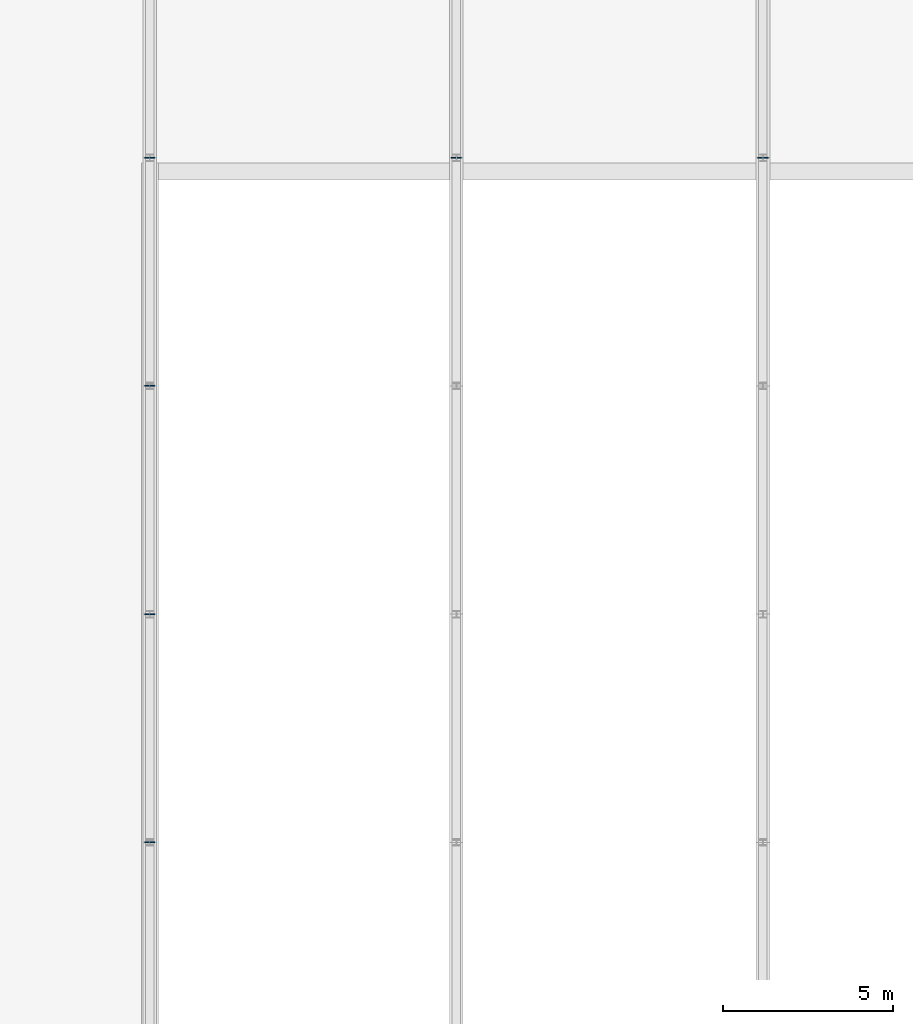
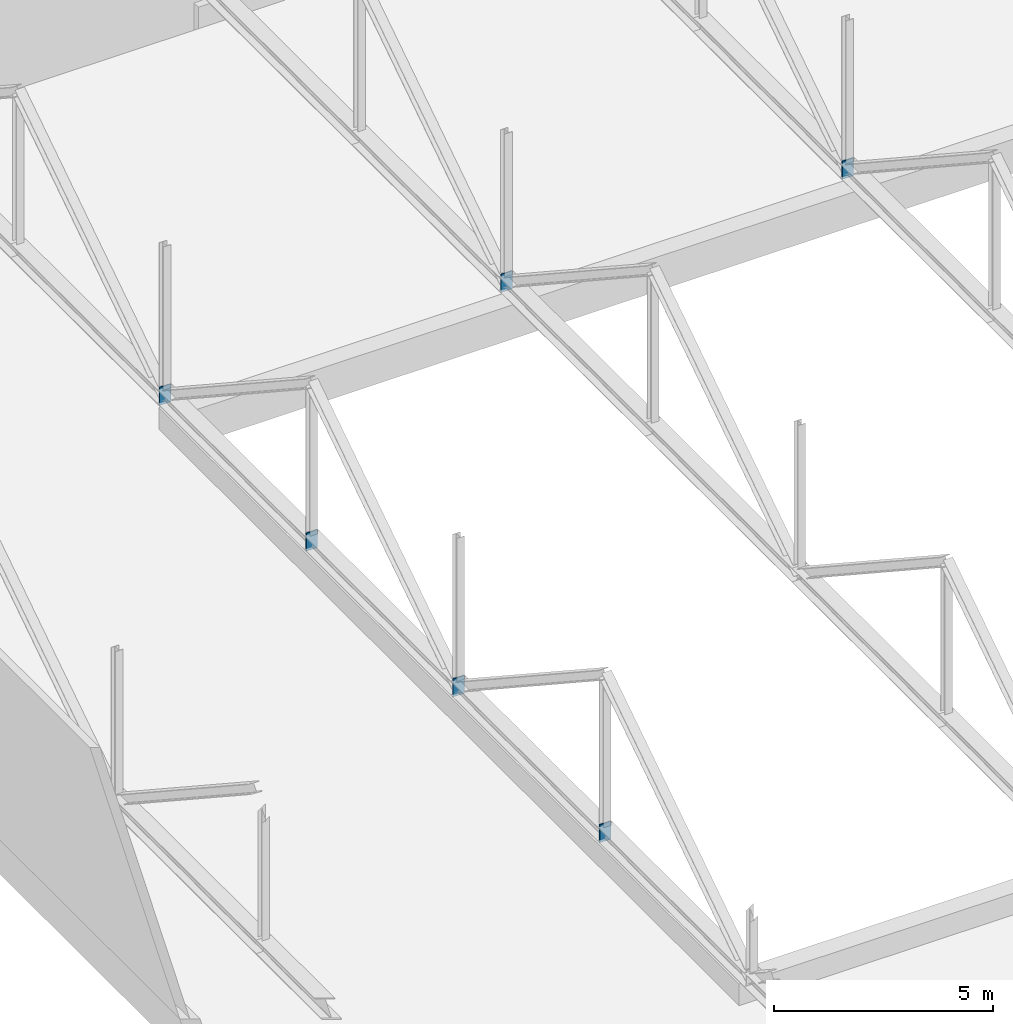
# One storey, part 37 of 49: 6 discrete accessories.
"""IFC4 building model written with IfcOpenShell, lengths in metres."""

import ifcopenshell
import ifcopenshell.guid

model = None  # the IFC model being written
_history = None  # IfcOwnerHistory: only IFC2X3 demands one
_inside = {}  # id of a spatial element -> (the spatial element, [elements in it])
_under = {}  # id of a project, library or spatial element -> (it, [spatial elements below it])
_declared = {}  # id of a project -> (the project, [libraries it declares])
_typed = {}  # id of a type object -> (the type object, [elements of that type])
_made_of = {}  # id of a material, layer set ... -> (it, [elements and type objects made of it])


def new_model(schema):
    """Start an empty IFC model of exactly this schema.

    Asked for "IFC4X3", IfcOpenShell would pick the latest addendum, in which some entities
    have other attributes; the version numbers below select the first issue.
    IFC2X3 requires an IfcOwnerHistory on every rooted entity: one is made here for all.
    """
    global model, _history
    if schema == "IFC4X3":
        model = ifcopenshell.file(schema_version=(4, 3, 0, 0))
    else:
        model = ifcopenshell.file(schema=schema)
    _inside.clear()
    _under.clear()
    _declared.clear()
    _typed.clear()
    _made_of.clear()
    _history = None
    if model.schema == "IFC2X3":
        org = make("IfcOrganization", Name="unknown")
        user = make(
            "IfcPersonAndOrganization",
            ThePerson=make("IfcPerson", FamilyName="unknown"),
            TheOrganization=org,
        )
        app = make(
            "IfcApplication",
            ApplicationDeveloper=org,
            Version="unknown",
            ApplicationFullName="unknown",
            ApplicationIdentifier="unknown",
        )
        _history = make(
            "IfcOwnerHistory",
            OwningUser=user,
            OwningApplication=app,
            ChangeAction="ADDED",
            CreationDate=0,
        )
    return model


def make(cls, **values):
    """One entity of the class cls with the attributes given. An attribute that is None is left unset."""
    return model.create_entity(
        cls, **{name: value for name, value in values.items() if value is not None}
    )


def rooted(cls, **values):
    """An entity with a GlobalId (a new one), such as an element, a storey or a relation."""
    return make(cls, GlobalId=ifcopenshell.guid.new(), OwnerHistory=_history, **values)


def si_unit(unit_type, name, prefix=None):
    """IfcSIUnit, for example si_unit("LENGTHUNIT", "METRE", prefix="MILLI")."""
    return make("IfcSIUnit", UnitType=unit_type, Prefix=prefix, Name=name)


def assignment(units):
    """IfcUnitAssignment: the units of a project."""
    return None if units is None else make("IfcUnitAssignment", Units=units)


def point(xyz):
    """IfcCartesianPoint."""
    return None if xyz is None else make("IfcCartesianPoint", Coordinates=xyz)


def direction(xyz):
    """IfcDirection."""
    return None if xyz is None else make("IfcDirection", DirectionRatios=xyz)


def frame(location, z_axis=None, x_axis=None):
    """IfcAxis2Placement3D, a coordinate frame: its origin and axes. An axis left out is left unset."""
    return make(
        "IfcAxis2Placement3D",
        Location=point(location),
        Axis=direction(z_axis),
        RefDirection=direction(x_axis),
    )


def frame_2d(location, x_axis=None):
    """IfcAxis2Placement2D, a coordinate frame in the plane: its origin and x axis."""
    return make(
        "IfcAxis2Placement2D", Location=point(location), RefDirection=direction(x_axis)
    )


def origin():
    """The frame at (0, 0, 0) with its axes left unset."""
    return frame((0.0, 0.0, 0.0))


def origin_2d():
    """The frame at (0, 0) in the plane with its x axis left unset."""
    return frame_2d((0.0, 0.0))


def place(relative_to, where):
    """IfcLocalPlacement: puts the frame where relative to a parent placement (None: the world)."""
    return make(
        "IfcLocalPlacement", PlacementRelTo=relative_to, RelativePlacement=where
    )


def context(
    kind, dimensions, precision=None, world=None, true_north=None, identifier=None
):
    """IfcGeometricRepresentationContext, for example the 3D "Model" context."""
    return make(
        "IfcGeometricRepresentationContext",
        ContextIdentifier=identifier,
        ContextType=kind,
        CoordinateSpaceDimension=dimensions,
        Precision=precision,
        WorldCoordinateSystem=world,
        TrueNorth=true_north,
    )


def subcontext(parent, identifier, kind, view, scale=None):
    """IfcGeometricRepresentationSubContext, for example "Body" below "Model"."""
    return make(
        "IfcGeometricRepresentationSubContext",
        ContextIdentifier=identifier,
        ContextType=kind,
        ParentContext=parent,
        TargetScale=scale,
        TargetView=view,
    )


def project(units=None, contexts=None):
    """IfcProject with its units and contexts."""
    return rooted(
        "IfcProject",
        Name="project",
        RepresentationContexts=contexts,
        UnitsInContext=assignment(units),
    )


def spatial(cls, under=None, at=None, **own):
    """A site, building, storey or space (cls), placed at a placement, below another one or the project."""
    s = rooted(cls, ObjectPlacement=at, **own)
    if under is not None:
        _under.setdefault(under.id(), (under, []))[1].append(s)
    return s


def profile(cls, at=None, kind="AREA", **sizes):
    """A parametric profile (cls). Its sizes go by their IFC names, for example OverallWidth=200.0."""
    return make(cls, ProfileType=kind, Position=at, **sizes)


def rectangle(**sizes):
    """IfcRectangleProfileDef."""
    return profile("IfcRectangleProfileDef", **sizes)


def extrude(swept, where, along, depth):
    """IfcExtrudedAreaSolid: the profile swept, set in the frame where, extruded along a direction by depth."""
    return make(
        "IfcExtrudedAreaSolid",
        SweptArea=swept,
        Position=where,
        ExtrudedDirection=direction(along),
        Depth=depth,
    )


def shape(context_of_items, identifier, shape_type, items):
    """IfcShapeRepresentation: the items that make up one representation, for example the "Body"."""
    return make(
        "IfcShapeRepresentation",
        ContextOfItems=context_of_items,
        RepresentationIdentifier=identifier,
        RepresentationType=shape_type,
        Items=items,
    )


def material(Name=None, Category=None):
    """IfcMaterial."""
    return make("IfcMaterial", Name=Name, Category=Category)


def layer(
    of_material, thickness, ventilated=None, Name=None, Category=None, Priority=None
):
    """IfcMaterialLayer: one layer of a wall or slab, of a material (None: an air gap)."""
    return make(
        "IfcMaterialLayer",
        Material=of_material,
        LayerThickness=thickness,
        IsVentilated=ventilated,
        Name=Name,
        Category=Category,
        Priority=Priority,
    )


def layer_set(layers, Name=None):
    """IfcMaterialLayerSet."""
    return make("IfcMaterialLayerSet", MaterialLayers=layers, LayerSetName=Name)


def made_of(thing, what):
    """Note that an element or type object is made of a material, layer set ...; save() writes the relation."""
    if what is not None:
        _made_of.setdefault(what.id(), (what, []))[1].append(thing)
    return thing


def type_object(cls, material=None, **own):
    """A type object (cls), such as IfcWallType, which elements share."""
    return made_of(rooted(cls, **own), material)


def element(
    cls,
    number,
    at=None,
    inside=None,
    cuts=None,
    type_object=None,
    material=None,
    context=None,
    identifier="Body",
    shape_type=None,
    held_by="IfcProductDefinitionShape",
    body=None,
    shapes=None,
    **own,
):
    """One element of the class cls, such as IfcWall. Its Tag is "e" and its number.

    at: its placement. inside: the storey or other place that contains it. cuts: it is an
    opening in that element (IfcRelVoidsElement). A single representation is given by context,
    identifier, shape_type and body (its items); several are given by shapes. held_by: the class
    of the entity that holds the representations. save() writes the other relations.
    """
    e = rooted(cls, Tag="e%d" % number, ObjectPlacement=at, **own)
    if body is not None:
        shapes = [shape(context, identifier, shape_type, body)]
    if shapes is not None:
        e.Representation = make(held_by, Representations=shapes)
    if inside is not None:
        _inside.setdefault(inside.id(), (inside, []))[1].append(e)
    if cuts is not None:
        rooted(
            "IfcRelVoidsElement", RelatingBuildingElement=cuts, RelatedOpeningElement=e
        )
    if type_object is not None:
        _typed.setdefault(type_object.id(), (type_object, []))[1].append(e)
    return made_of(e, material)


def aggregate(whole, parts):
    """IfcRelAggregates: a whole, such as a stair, and the parts it consists of."""
    return rooted("IfcRelAggregates", RelatingObject=whole, RelatedObjects=parts)


def save(model, path):
    """Write the relations noted so far, then the file.

    IfcRelAggregates (storeys below a building ...), IfcRelContainedInSpatialStructure (elements
    in a storey), IfcRelDefinesByType, IfcRelAssociatesMaterial and IfcRelDeclares: one each for
    every whole, place, type object, material and project.
    """
    for whole, parts in _under.values():
        aggregate(whole, parts)
    for where, things in _inside.values():
        rooted(
            "IfcRelContainedInSpatialStructure",
            RelatedElements=things,
            RelatingStructure=where,
        )
    for kind, things in _typed.values():
        rooted("IfcRelDefinesByType", RelatedObjects=things, RelatingType=kind)
    for what, things in _made_of.values():
        rooted("IfcRelAssociatesMaterial", RelatedObjects=things, RelatingMaterial=what)
    for by, libraries in _declared.values():
        rooted("IfcRelDeclares", RelatingContext=by, RelatedDefinitions=libraries)
    model.write(path)


model = new_model("IFC4")

# Units and contexts
model_context = context("Model", 3, precision=1e-05, world=origin(), true_north=direction((0.0, 1.0)))
body_context = subcontext(model_context, "Body", "Model", "MODEL_VIEW")
ifc_project = project(units=[si_unit("LENGTHUNIT", "METRE"), si_unit("AREAUNIT", "SQUARE_METRE"), si_unit("VOLUMEUNIT", "CUBIC_METRE"), si_unit("PLANEANGLEUNIT", "RADIAN"), si_unit("MASSUNIT", "GRAM", prefix="KILO")], contexts=[model_context])

# Site, building, storey
site_placement = place(None, origin())
site = spatial("IfcSite", under=ifc_project, at=site_placement, CompositionType="ELEMENT")
building_placement = place(site_placement, origin())
building = spatial("IfcBuilding", under=site, at=building_placement, Name="Hunhe Ridgeline Campus", CompositionType="ELEMENT")
storey_placement = place(building_placement, frame((0.0, 0.0, 21.60009765625)))
storey = spatial("IfcBuildingStorey", under=building, at=storey_placement, Name="L04", CompositionType="ELEMENT", Elevation=21.60009765625)

# Discrete accessories
ifc_material = material(Name="Steel Q355", Category="steel")
ifc_layer = layer(ifc_material, 0.030029296875)
ifc_layer_set = layer_set([ifc_layer], Name="Cast-in plate 300x500x30 Steel Q355")
discrete_accessory_type = type_object("IfcDiscreteAccessoryType", Name="Cast-in plate 300x500x30 Steel Q355", PredefinedType="BRACKET", material=ifc_layer_set)
for number, where, z_axis, x_axis, name in (
    (1, (162.0, 42.800048828125, 0.539794921875), (0.0, 0.0, 1.0), (0.0, 1.0, 0.0), "Roof truss 2 cast-in plate node 3 bottom"),
    (2, (162.0, 49.5, 0.539794921875), (0.0, 0.0, 1.0), (0.0, 1.0, 0.0), "Roof truss 2 cast-in plate node 4 bottom"),
    (3, (162.0, 56.199951171875, 0.539794921875), (0.0, 0.0, 1.0), (0.0, 1.0, 0.0), "Roof truss 2 cast-in plate node 5 bottom"),
    (4, (162.0, 62.89990234375, 0.539794921875), (0.0, 0.0, 1.0), (0.0, 1.0, 0.0), "Roof truss 2 cast-in plate node 6 bottom"),
    (5, (171.0, 62.89990234375, 0.539794921875), (0.0, 0.0, 1.0), (0.0, 1.0, 0.0), "Roof truss 3 cast-in plate node 6 bottom"),
    (6, (180.0, 62.89990234375, 0.539794921875), (0.0, 0.0, 1.0), (0.0, 1.0, 0.0), "Roof truss 4 cast-in plate node 6 bottom"),
):
    element("IfcDiscreteAccessory", number, at=place(storey_placement, frame(where, z_axis=z_axis, x_axis=x_axis)), inside=storey, type_object=discrete_accessory_type, Name=name, PredefinedType="BRACKET", context=body_context, shape_type="SweptSolid", body=[
        extrude(rectangle(XDim=0.030029296875, YDim=0.300048828125, at=origin_2d()), origin(), (0.0, 0.0, 1.0), 0.5),
    ])

save(model, "model.ifc")
